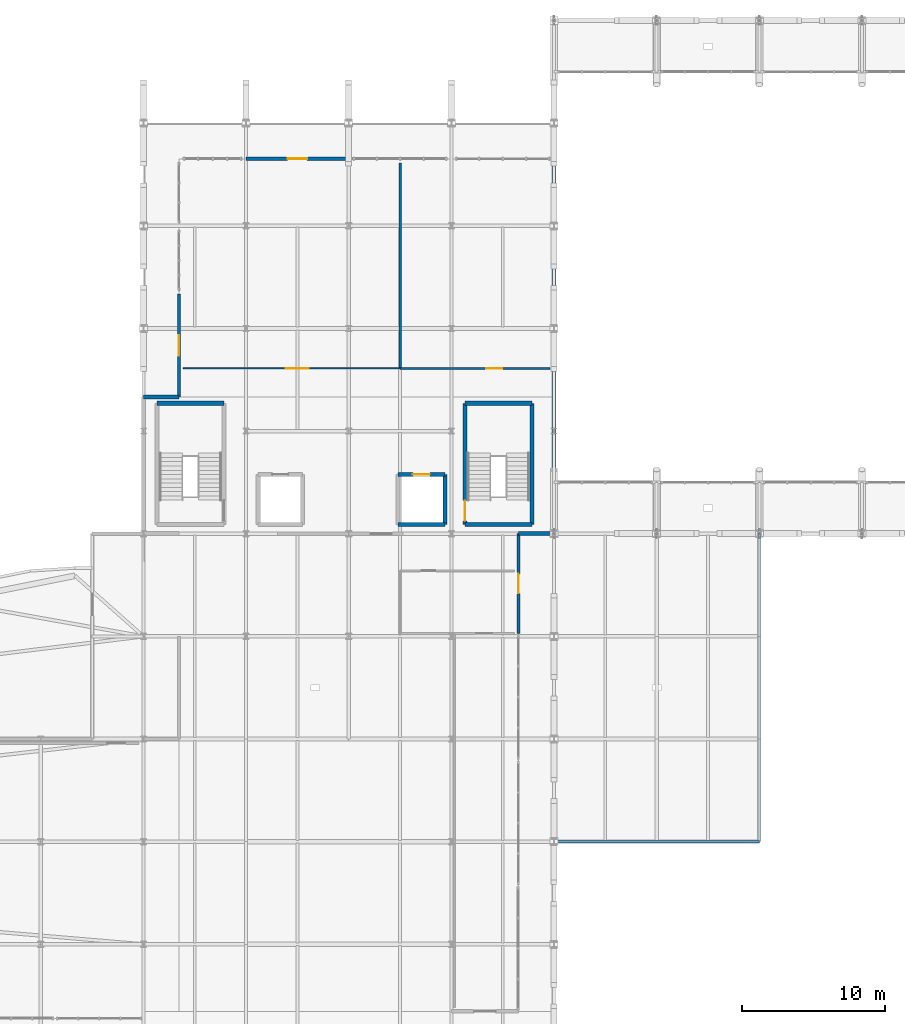
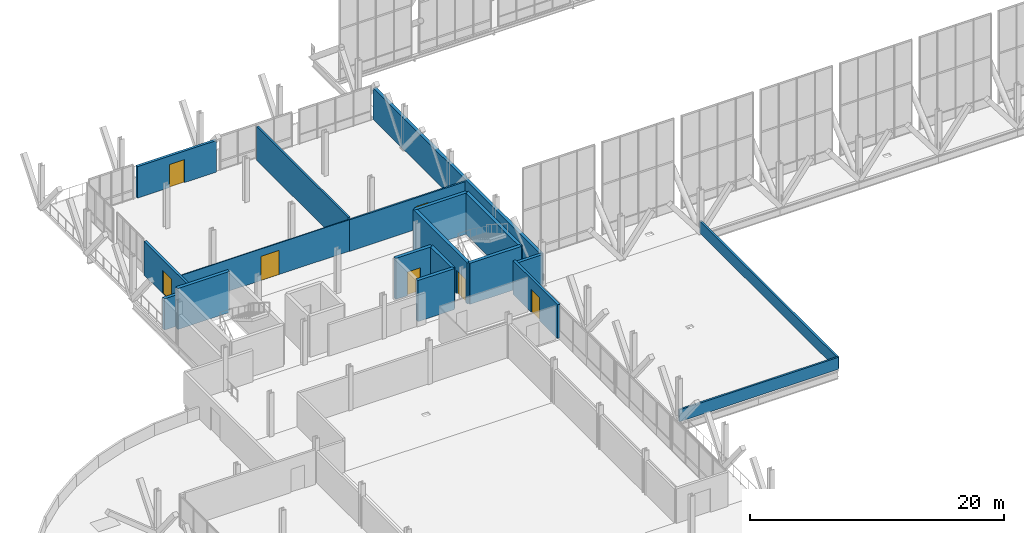
# One storey, part 92 of 102: 19 walls, 7 doors, 7 openings.
"""IFC4 building model written with IfcOpenShell, lengths in metres."""

from ifc_helpers import new_model, si_unit, direction, frame, frame_2d, origin, place, context, subcontext, project, spatial, rectangle, extrude, material, layer, layer_set, type_object, element, fill, save


model = new_model("IFC4")

# Units and contexts
model_context = context("Model", 3, precision=1e-05, world=origin(), true_north=direction((0.0, 1.0)))
body_context = subcontext(model_context, "Body", "Model", "MODEL_VIEW")
ifc_project = project(units=[si_unit("LENGTHUNIT", "METRE"), si_unit("AREAUNIT", "SQUARE_METRE"), si_unit("VOLUMEUNIT", "CUBIC_METRE"), si_unit("PLANEANGLEUNIT", "RADIAN"), si_unit("MASSUNIT", "GRAM", prefix="KILO")], contexts=[model_context])

# Site, building, storey
site_placement = place(None, origin())
site = spatial("IfcSite", under=ifc_project, at=site_placement, CompositionType="ELEMENT")
building_placement = place(site_placement, origin())
building = spatial("IfcBuilding", under=site, at=building_placement, Name="Yarey Park Central Fire Station", CompositionType="ELEMENT")
storey_placement = place(building_placement, frame((0.0, 0.0, 6.0)))
storey = spatial("IfcBuildingStorey", under=building, at=storey_placement, Name="L02", CompositionType="ELEMENT", Elevation=6.0)

# Walls
ifc_material_1 = material(Name="Concrete C35/45", Category="concrete")
ifc_layer_1 = layer(ifc_material_1, 0.280029296875)
ifc_layer_set_1 = layer_set([ifc_layer_1], Name="Concrete C35/45")
wall_type_1 = type_object("IfcWallType", Name="ENV_WALL_CMU280", PredefinedType="STANDARD", material=ifc_layer_set_1)
for number, where, z_axis, x_axis, name in (
    (1, (31.300048828125, 67.199951171875, 0.0), (0.0, 0.0, 1.0), (-1.0, 0.0, 0.0), "EW_L02_V3_STEP_N"),
    (2, (55.10009765625, 57.60009765625, 0.0), (0.0, 0.0, 1.0), (1.0, 0.0, 0.0), "EW_L02_V3_STEP_E"),
):
    element("IfcWall", number, at=place(storey_placement, frame(where, z_axis=z_axis, x_axis=x_axis)), inside=storey, type_object=wall_type_1, Name=name, PredefinedType="STANDARD", context=body_context, shape_type="SweptSolid", body=[
        extrude(rectangle(XDim=2.5, YDim=0.280029296875, at=frame_2d((1.25, 0.0))), origin(), (0.0, 0.0, 1.0), 3.0),
    ])
wall_1_placement = place(storey_placement, frame((57.60009765625, 57.60009765625, 0.0), z_axis=(0.0, 0.0, 1.0), x_axis=(0.0, 1.0, 0.0)))
element("IfcWall", 3, at=wall_1_placement, inside=storey, type_object=wall_type_1, Name="EW_L02_V3_E_CORE", PredefinedType="STANDARD", context=body_context, shape_type="SweptSolid", body=[
    extrude(rectangle(XDim=26.2998046875, YDim=0.280029296875, at=frame_2d((13.14990234375, 0.0))), origin(), (0.0, 0.0, 1.0), 3.0),
])

# Wall, opening, door
ifc_layer_2 = layer(ifc_material_1, 0.22998046875)
ifc_layer_set_2 = layer_set([ifc_layer_2], Name="Concrete C35/45")
wall_type_2 = type_object("IfcWallType", Name="ENV_WALL_INS230", PredefinedType="STANDARD", material=ifc_layer_set_2)
wall_2_placement = place(storey_placement, frame((31.300048828125, 74.39990234375, 0.0), z_axis=(0.0, 0.0, 1.0), x_axis=(0.0, -1.0, 0.0)))
wall_2 = element("IfcWall", 4, at=wall_2_placement, inside=storey, type_object=wall_type_2, Name="EW_L02_V3_GALW_DOOR", PredefinedType="STANDARD", context=body_context, shape_type="SweptSolid", body=[
    extrude(rectangle(XDim=7.199951171875, YDim=0.22998046875, at=frame_2d((3.60009765625, 0.0))), origin(), (0.0, 0.0, 1.0), 3.2470703125),
])
opening_1_placement = place(wall_2_placement, frame((2.8798828125, 0.0, 0.0)))
opening_1 = element("IfcOpeningElement", 5, at=opening_1_placement, cuts=wall_2, Name="Opening TD-144", PredefinedType="OPENING", context=body_context, shape_type="SweptSolid", body=[
    extrude(rectangle(XDim=1.43994140625, YDim=2.239990234375, at=frame_2d((0.719970703125, 1.1201171875))), frame((0.0, 0.125, 0.0), z_axis=(0.0, -1.0, 0.0), x_axis=(1.0, 0.0, 0.0)), (0.0, 0.0, 1.0), 0.25),
])
ifc_material_2 = material(Name="Anodized Aluminium Frame", Category="aluminium")
door_type_1 = type_object("IfcDoorType", Name="ENV_DOOR_TER1440", OperationType="NOTDEFINED", PredefinedType="DOOR", material=ifc_material_2)
door_1_placement = place(opening_1_placement, origin())
door_1 = element("IfcDoor", 6, at=door_1_placement, inside=storey, type_object=door_type_1, Name="DOOR_L02_VERANDA_W", OperationType="SINGLE_SWING_RIGHT", OverallHeight=2.239990234375, OverallWidth=1.43994140625, PredefinedType="DOOR", context=body_context, shape_type="SweptSolid", body=[
    extrude(rectangle(XDim=1.43994140625, YDim=2.239990234375, at=frame_2d((0.719970703125, 1.1201171875))), frame((0.0, 0.02490234375, 0.0), z_axis=(0.0, -1.0, 0.0), x_axis=(1.0, 0.0, 0.0)), (0.0, 0.0, 1.0), 0.050048828125),
])
fill(opening_1, door_1)

wall_3_placement = place(storey_placement, frame((55.10009765625, 50.60009765625, 0.0), z_axis=(0.0, 0.0, 1.0), x_axis=(0.0, 1.0, 0.0)))
wall_3 = element("IfcWall", 7, at=wall_3_placement, inside=storey, type_object=wall_type_2, Name="EW_L02_V1_EVER_DOOR", PredefinedType="STANDARD", context=body_context, shape_type="SweptSolid", body=[
    extrude(rectangle(XDim=7.0, YDim=0.22998046875, at=frame_2d((3.5, 0.0))), origin(), (0.0, 0.0, 1.0), 3.2470703125),
])
opening_2_placement = place(wall_3_placement, frame((2.820068359375, 0.0, 0.0)))
opening_2 = element("IfcOpeningElement", 8, at=opening_2_placement, cuts=wall_3, Name="Opening TD-136", PredefinedType="OPENING", context=body_context, shape_type="SweptSolid", body=[
    extrude(rectangle(XDim=1.360107421875, YDim=2.219970703125, at=frame_2d((0.68017578125, 1.10986328125))), frame((0.0, 0.125, 0.0), z_axis=(0.0, -1.0, 0.0), x_axis=(1.0, 0.0, 0.0)), (0.0, 0.0, 1.0), 0.25),
])
door_type_2 = type_object("IfcDoorType", Name="ENV_DOOR_TER1360", OperationType="NOTDEFINED", PredefinedType="DOOR", material=ifc_material_2)
door_2_placement = place(opening_2_placement, origin())
door_2 = element("IfcDoor", 9, at=door_2_placement, inside=storey, type_object=door_type_2, Name="DOOR_L02_VERANDA_E", OperationType="SINGLE_SWING_RIGHT", OverallHeight=2.219970703125, OverallWidth=1.360107421875, PredefinedType="DOOR", context=body_context, shape_type="SweptSolid", body=[
    extrude(rectangle(XDim=1.360107421875, YDim=2.219970703125, at=frame_2d((0.68017578125, 1.10986328125))), frame((0.0, 0.02490234375, 0.0), z_axis=(0.0, -1.0, 0.0), x_axis=(1.0, 0.0, 0.0)), (0.0, 0.0, 1.0), 0.050048828125),
])
fill(opening_2, door_2)

wall_4_placement = place(storey_placement, frame((43.199951171875, 83.89990234375, 0.0), z_axis=(0.0, 0.0, 1.0), x_axis=(-1.0, 0.0, 0.0)))
wall_4 = element("IfcWall", 10, at=wall_4_placement, inside=storey, type_object=wall_type_2, Name="EW_L02_V3_GALN_DOOR", PredefinedType="STANDARD", context=body_context, shape_type="SweptSolid", body=[
    extrude(rectangle(XDim=7.199951171875, YDim=0.22998046875, at=frame_2d((3.60009765625, 0.0))), origin(), (0.0, 0.0, 1.0), 3.028076171875),
])
opening_3_placement = place(wall_4_placement, frame((2.919921875, 0.0, 0.0)))
opening_3 = element("IfcOpeningElement", 11, at=opening_3_placement, cuts=wall_4, Name="Opening TD-136", PredefinedType="OPENING", context=body_context, shape_type="SweptSolid", body=[
    extrude(rectangle(XDim=1.360107421875, YDim=2.219970703125, at=frame_2d((0.68017578125, 1.10986328125))), frame((0.0, 0.125, 0.0), z_axis=(0.0, -1.0, 0.0), x_axis=(1.0, 0.0, 0.0)), (0.0, 0.0, 1.0), 0.25),
])
door_3_placement = place(opening_3_placement, origin())
door_3 = element("IfcDoor", 12, at=door_3_placement, inside=storey, type_object=door_type_2, Name="DOOR_L02_VERANDA_N", OperationType="SINGLE_SWING_LEFT", OverallHeight=2.219970703125, OverallWidth=1.360107421875, PredefinedType="DOOR", context=body_context, shape_type="SweptSolid", body=[
    extrude(rectangle(XDim=1.360107421875, YDim=2.219970703125, at=frame_2d((0.68017578125, 1.10986328125))), frame((0.0, 0.02490234375, 0.0), z_axis=(0.0, -1.0, 0.0), x_axis=(1.0, 0.0, 0.0)), (0.0, 0.0, 1.0), 0.050048828125),
])
fill(opening_3, door_3)

# Walls
ifc_layer_3 = layer(ifc_material_1, 0.1650390625)
ifc_layer_set_3 = layer_set([ifc_layer_3], Name="Concrete C35/45")
wall_type_3 = type_object("IfcWallType", Name="ENV_WALL_PAR165", PredefinedType="PARAPET", material=ifc_layer_set_3)
wall_5_placement = place(storey_placement, frame((57.60009765625, 36.0, 0.0), z_axis=(0.0, 0.0, 1.0), x_axis=(1.0, 0.0, 0.0)))
element("IfcWall", 13, at=wall_5_placement, inside=storey, type_object=wall_type_3, Name="PAR_L02_04", PredefinedType="PARAPET", context=body_context, shape_type="SweptSolid", body=[
    extrude(rectangle(XDim=14.39990234375, YDim=0.1650390625, at=frame_2d((7.199951171875, 0.0))), origin(), (0.0, 0.0, 1.0), 1.14990234375),
])
ifc_layer_4 = layer(ifc_material_1, 0.18505859375)
ifc_layer_set_4 = layer_set([ifc_layer_4], Name="Concrete C35/45")
wall_type_4 = type_object("IfcWallType", Name="ENV_WALL_PAR185", PredefinedType="PARAPET", material=ifc_layer_set_4)
wall_6_placement = place(storey_placement, frame((72.0, 36.0, 0.0), z_axis=(0.0, 0.0, 1.0), x_axis=(0.0, 1.0, 0.0)))
element("IfcWall", 14, at=wall_6_placement, inside=storey, type_object=wall_type_4, Name="PAR_L02_05", PredefinedType="PARAPET", context=body_context, shape_type="SweptSolid", body=[
    extrude(rectangle(XDim=21.60009765625, YDim=0.18505859375, at=frame_2d((10.800048828125, 0.0))), origin(), (0.0, 0.0, 1.0), 1.14990234375),
])
ifc_material_3 = material(Name="Concrete C40/50", Category="concrete")
ifc_layer_5 = layer(ifc_material_3, 0.27001953125)
ifc_layer_set_5 = layer_set([ifc_layer_5], Name="Concrete C40/50")
wall_type_5 = type_object("IfcWallType", Name="INT_CORE_RC270", PredefinedType="SHEAR", material=ifc_layer_set_5)
wall_7_placement = place(storey_placement, frame((46.64990234375, 58.25, 0.0), z_axis=(0.0, 0.0, 1.0), x_axis=(1.0, 0.0, 0.0)))
element("IfcWall", 15, at=wall_7_placement, inside=storey, type_object=wall_type_5, Name="LWALL_C4_L02_S", PredefinedType="SHEAR", context=body_context, shape_type="SweptSolid", body=[
    extrude(rectangle(XDim=3.300048828125, YDim=0.300048828125, at=frame_2d((1.64990234375, 0.0))), origin(), (0.0, 0.0, 1.0), 3.93994140625),
])

# Wall, opening, door
wall_8_placement = place(storey_placement, frame((49.949951171875, 61.75, 0.0), z_axis=(0.0, 0.0, 1.0), x_axis=(-1.0, 0.0, 0.0)))
wall_8 = element("IfcWall", 16, at=wall_8_placement, inside=storey, type_object=wall_type_5, Name="LWALL_C4_L02_N", PredefinedType="SHEAR", context=body_context, shape_type="SweptSolid", body=[
    extrude(rectangle(XDim=3.300048828125, YDim=0.300048828125, at=frame_2d((1.64990234375, 0.0))), origin(), (0.0, 0.0, 1.0), 3.93994140625),
])
opening_4_placement = place(wall_8_placement, frame((1.050048828125, 0.0, 0.0)))
opening_4 = element("IfcOpeningElement", 17, at=opening_4_placement, cuts=wall_8, Name="Opening LD-12", PredefinedType="OPENING", context=body_context, shape_type="SweptSolid", body=[
    extrude(rectangle(XDim=1.199951171875, YDim=2.260009765625, at=frame_2d((0.60009765625, 1.1298828125))), frame((0.0, 0.159912109375, 0.0), z_axis=(0.0, -1.0, 0.0), x_axis=(1.0, 0.0, 0.0)), (0.0, 0.0, 1.0), 0.320068359375),
])
ifc_material_4 = material(Name="Stainless Steel AISI 316L", Category="steel")
door_type_3 = type_object("IfcDoorType", Name="DR_LD_1200", OperationType="NOTDEFINED", PredefinedType="DOOR", material=ifc_material_4)
door_4_placement = place(opening_4_placement, origin())
door_4 = element("IfcDoor", 18, at=door_4_placement, inside=storey, type_object=door_type_3, Name="Lift Landing Door LF-4-L02", OperationType="SLIDING_TO_LEFT", OverallHeight=2.260009765625, OverallWidth=1.199951171875, PredefinedType="DOOR", context=body_context, shape_type="SweptSolid", body=[
    extrude(rectangle(XDim=1.199951171875, YDim=2.260009765625, at=frame_2d((0.60009765625, 1.1298828125))), frame((0.0, 0.02490234375, 0.0), z_axis=(0.0, -1.0, 0.0), x_axis=(1.0, 0.0, 0.0)), (0.0, 0.0, 1.0), 0.050048828125),
])
fill(opening_4, door_4)

# Walls
wall_9_placement = place(storey_placement, frame((49.949951171875, 58.25, 0.0), z_axis=(0.0, 0.0, 1.0), x_axis=(0.0, 1.0, 0.0)))
element("IfcWall", 19, at=wall_9_placement, inside=storey, type_object=wall_type_5, Name="LWALL_C4_L02_E", PredefinedType="SHEAR", context=body_context, shape_type="SweptSolid", body=[
    extrude(rectangle(XDim=3.5, YDim=0.300048828125, at=frame_2d((1.75, 0.0))), origin(), (0.0, 0.0, 1.0), 3.93994140625),
])
ifc_layer_6 = layer(ifc_material_3, 0.300048828125)
ifc_layer_set_6 = layer_set([ifc_layer_6], Name="Concrete C40/50")
wall_type_6 = type_object("IfcWallType", Name="INT_CORE_RC300", PredefinedType="SHEAR", material=ifc_layer_set_6)
for number, where, z_axis, x_axis, name in (
    (20, (34.449951171875, 66.75, 0.0), (0.0, 0.0, 1.0), (-1.0, 0.0, 0.0), "CWALL_C3_L02_N"),
    (21, (51.35009765625, 58.25, 0.0), (0.0, 0.0, 1.0), (1.0, 0.0, 0.0), "CWALL_C4_L02_S"),
    (22, (56.050048828125, 66.75, 0.0), (0.0, 0.0, 1.0), (-1.0, 0.0, 0.0), "CWALL_C4_L02_N"),
):
    element("IfcWall", number, at=place(storey_placement, frame(where, z_axis=z_axis, x_axis=x_axis)), inside=storey, type_object=wall_type_6, Name=name, PredefinedType="SHEAR", context=body_context, shape_type="SweptSolid", body=[
        extrude(rectangle(XDim=4.699951171875, YDim=0.300048828125, at=frame_2d((2.35009765625, 0.0))), origin(), (0.0, 0.0, 1.0), 3.93994140625),
    ])

# Wall, opening, door
wall_10_placement = place(storey_placement, frame((51.35009765625, 66.75, 0.0), z_axis=(0.0, 0.0, 1.0), x_axis=(0.0, -1.0, 0.0)))
wall_10 = element("IfcWall", 23, at=wall_10_placement, inside=storey, type_object=wall_type_6, Name="CWALL_C4_L02_W", PredefinedType="SHEAR", context=body_context, shape_type="SweptSolid", body=[
    extrude(rectangle(XDim=8.5, YDim=0.300048828125, at=frame_2d((4.25, 0.0))), origin(), (0.0, 0.0, 1.0), 3.93994140625),
])
opening_5_placement = place(wall_10_placement, frame((6.830078125, 0.0, 0.0)))
opening_5 = element("IfcOpeningElement", 24, at=opening_5_placement, cuts=wall_10, Name="Opening SD-142", PredefinedType="OPENING", context=body_context, shape_type="SweptSolid", body=[
    extrude(rectangle(XDim=1.419921875, YDim=2.219970703125, at=frame_2d((0.7099609375, 1.10986328125))), frame((0.0, 0.159912109375, 0.0), z_axis=(0.0, -1.0, 0.0), x_axis=(1.0, 0.0, 0.0)), (0.0, 0.0, 1.0), 0.320068359375),
])
ifc_material_5 = material(Name="Galvanized Hollow Metal Door", Category="metal")
door_type_4 = type_object("IfcDoorType", Name="DR_STAIR_1420", OperationType="NOTDEFINED", PredefinedType="DOOR", material=ifc_material_5)
door_5_placement = place(opening_5_placement, origin())
door_5 = element("IfcDoor", 25, at=door_5_placement, inside=storey, type_object=door_type_4, Name="DOOR_STAIR_C4_L02", OperationType="SINGLE_SWING_LEFT", OverallHeight=2.219970703125, OverallWidth=1.419921875, PredefinedType="DOOR", context=body_context, shape_type="SweptSolid", body=[
    extrude(rectangle(XDim=1.419921875, YDim=2.219970703125, at=frame_2d((0.7099609375, 1.10986328125))), frame((0.0, 0.02490234375, 0.0), z_axis=(0.0, -1.0, 0.0), x_axis=(1.0, 0.0, 0.0)), (0.0, 0.0, 1.0), 0.050048828125),
])
fill(opening_5, door_5)

# Wall
wall_11_placement = place(storey_placement, frame((56.050048828125, 58.25, 0.0), z_axis=(0.0, 0.0, 1.0), x_axis=(0.0, 1.0, 0.0)))
element("IfcWall", 26, at=wall_11_placement, inside=storey, type_object=wall_type_6, Name="CWALL_C4_L02_E", PredefinedType="SHEAR", context=body_context, shape_type="SweptSolid", body=[
    extrude(rectangle(XDim=8.5, YDim=0.300048828125, at=frame_2d((4.25, 0.0))), origin(), (0.0, 0.0, 1.0), 3.93994140625),
])

# Wall, opening, door
ifc_material_6 = material(Name="Gypsum Shaftliner Assembly", Category="gypsum")
ifc_layer_7 = layer(ifc_material_6, 0.14990234375)
ifc_layer_set_7 = layer_set([ifc_layer_7], Name="Gypsum Shaftliner Assembly")
wall_type_7 = type_object("IfcWallType", Name="INT_WALL_AC150", PredefinedType="STANDARD", material=ifc_layer_set_7)
wall_12_placement = place(storey_placement, frame((46.800048828125, 69.199951171875, 0.0), z_axis=(0.0, 0.0, 1.0), x_axis=(1.0, 0.0, 0.0)))
wall_12 = element("IfcWall", 27, at=wall_12_placement, inside=storey, type_object=wall_type_7, Name="PART_SPC_L02_REHAB_SOUTH", PredefinedType="STANDARD", context=body_context, shape_type="SweptSolid", body=[
    extrude(rectangle(XDim=10.5, YDim=0.14990234375, at=frame_2d((5.25, 0.0))), origin(), (0.0, 0.0, 1.0), 3.028076171875),
])
opening_6_placement = place(wall_12_placement, frame((6.0400390625, 0.0, 0.0)))
opening_6 = element("IfcOpeningElement", 28, at=opening_6_placement, cuts=wall_12, Name="Opening ID-112", PredefinedType="OPENING", context=body_context, shape_type="SweptSolid", body=[
    extrude(rectangle(XDim=1.1201171875, YDim=2.199951171875, at=frame_2d((0.56005859375, 1.10009765625))), frame((0.0, 0.0849609375, 0.0), z_axis=(0.0, -1.0, 0.0), x_axis=(1.0, 0.0, 0.0)), (0.0, 0.0, 1.0), 0.169921875),
])
ifc_material_7 = material(Name="Hardwood Acoustic Leaf", Category="wood")
door_type_5 = type_object("IfcDoorType", Name="DR_INT_1120", OperationType="NOTDEFINED", PredefinedType="DOOR", material=ifc_material_7)
door_6_placement = place(opening_6_placement, origin())
door_6 = element("IfcDoor", 29, at=door_6_placement, inside=storey, type_object=door_type_5, Name="DOOR_SPC_L02_REHAB", OperationType="SINGLE_SWING_LEFT", OverallHeight=2.199951171875, OverallWidth=1.1201171875, PredefinedType="DOOR", context=body_context, shape_type="SweptSolid", body=[
    extrude(rectangle(XDim=1.1201171875, YDim=2.199951171875, at=frame_2d((0.56005859375, 1.10009765625))), frame((0.0, 0.02490234375, 0.0), z_axis=(0.0, -1.0, 0.0), x_axis=(1.0, 0.0, 0.0)), (0.0, 0.0, 1.0), 0.050048828125),
])
fill(opening_6, door_6)

# Wall
ifc_layer_8 = layer(ifc_material_6, 0.169921875)
ifc_layer_set_8 = layer_set([ifc_layer_8], Name="Gypsum Shaftliner Assembly")
wall_type_8 = type_object("IfcWallType", Name="INT_WALL_AC170", PredefinedType="STANDARD", material=ifc_layer_set_8)
wall_13_placement = place(storey_placement, frame((46.800048828125, 69.199951171875, 0.0), z_axis=(0.0, 0.0, 1.0), x_axis=(0.0, 1.0, 0.0)))
element("IfcWall", 30, at=wall_13_placement, inside=storey, type_object=wall_type_8, Name="PART_SPC_L02_GYM_EAST", PredefinedType="STANDARD", context=body_context, shape_type="SweptSolid", body=[
    extrude(rectangle(XDim=14.400146484375, YDim=0.169921875, at=frame_2d((7.2001953125, 0.0))), origin(), (0.0, 0.0, 1.0), 3.2470703125),
])

# Wall, opening, door
ifc_material_8 = material(Name="Gypsum Acoustic Partition", Category="gypsum")
ifc_layer_9 = layer(ifc_material_8, 0.0859375)
ifc_layer_set_9 = layer_set([ifc_layer_9], Name="Gypsum Acoustic Partition")
wall_type_9 = type_object("IfcWallType", Name="INT_WALL_PT086", PredefinedType="STANDARD", material=ifc_layer_set_9)
wall_14_placement = place(storey_placement, frame((31.60009765625, 69.199951171875, 0.0), z_axis=(0.0, 0.0, 1.0), x_axis=(1.0, 0.0, 0.0)))
wall_14 = element("IfcWall", 31, at=wall_14_placement, inside=storey, type_object=wall_type_9, Name="PART_SPC_L02_GYM_SOUTH", PredefinedType="STANDARD", context=body_context, shape_type="SweptSolid", body=[
    extrude(rectangle(XDim=15.199951171875, YDim=0.0859375, at=frame_2d((7.60009765625, 0.0))), origin(), (0.0, 0.0, 1.0), 3.028076171875),
])
opening_7_placement = place(wall_14_placement, frame((7.18994140625, 0.0, 0.0)))
opening_7 = element("IfcOpeningElement", 32, at=opening_7_placement, cuts=wall_14, Name="Opening ID-162", PredefinedType="OPENING", context=body_context, shape_type="SweptSolid", body=[
    extrude(rectangle(XDim=1.6201171875, YDim=2.320068359375, at=frame_2d((0.81005859375, 1.16015625))), frame((0.0, 0.052978515625, 0.0), z_axis=(0.0, -1.0, 0.0), x_axis=(1.0, 0.0, 0.0)), (0.0, 0.0, 1.0), 0.10595703125),
])
door_type_6 = type_object("IfcDoorType", Name="DR_INT_1620", OperationType="NOTDEFINED", PredefinedType="DOOR", material=ifc_material_7)
door_7_placement = place(opening_7_placement, origin())
door_7 = element("IfcDoor", 33, at=door_7_placement, inside=storey, type_object=door_type_6, Name="DOOR_SPC_L02_GYM", OperationType="SINGLE_SWING_RIGHT", OverallHeight=2.320068359375, OverallWidth=1.6201171875, PredefinedType="DOOR", context=body_context, shape_type="SweptSolid", body=[
    extrude(rectangle(XDim=1.6201171875, YDim=2.320068359375, at=frame_2d((0.81005859375, 1.16015625))), frame((0.0, 0.02490234375, 0.0), z_axis=(0.0, -1.0, 0.0), x_axis=(1.0, 0.0, 0.0)), (0.0, 0.0, 1.0), 0.050048828125),
])
fill(opening_7, door_7)

save(model, "model.ifc")
